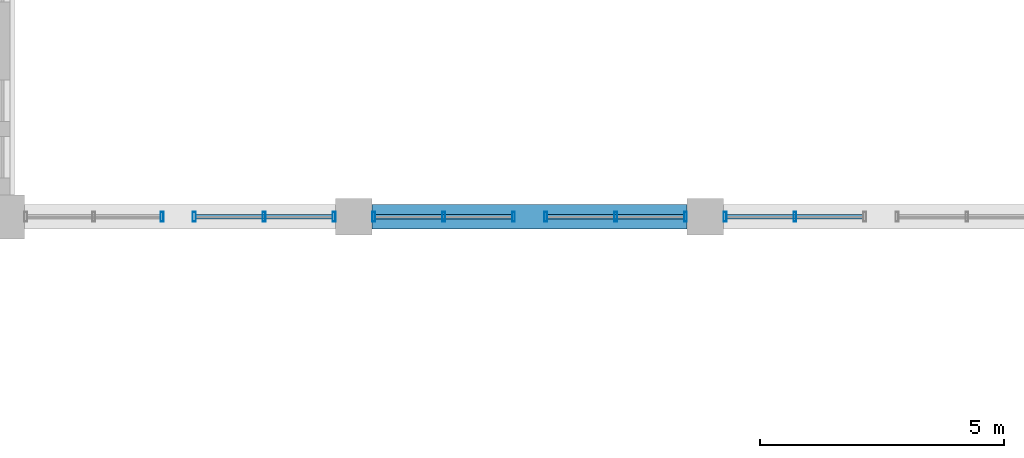
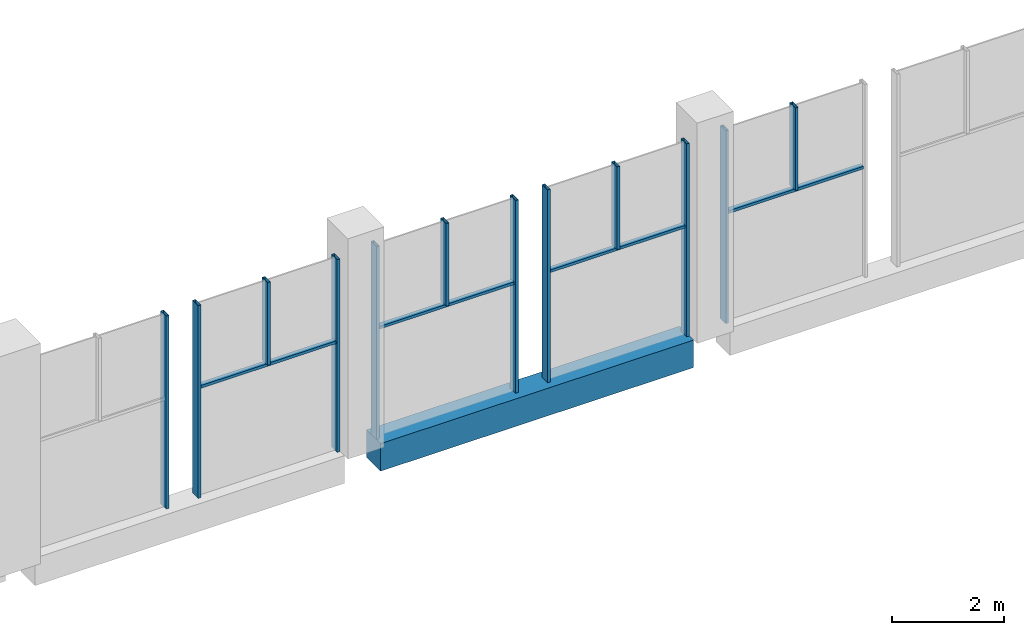
# One storey, part 13 of 39: 16 members, 1 beam, 5 elements without a shape of their own.
"""IFC4 building model written with IfcOpenShell, lengths in metres."""

from ifc_helpers import new_model, si_unit, direction, frame, origin, origin_2d, place, context, subcontext, project, spatial, rectangle, hollow_rectangle, extrude, material, material_profile, profile_set, type_object, element, aggregate, save


model = new_model("IFC4")

# Units and contexts
model_context = context("Model", 3, precision=1e-05, world=origin(), true_north=direction((0.0, 1.0)))
body_context = subcontext(model_context, "Body", "Model", "MODEL_VIEW")
ifc_project = project(units=[si_unit("LENGTHUNIT", "METRE"), si_unit("AREAUNIT", "SQUARE_METRE"), si_unit("VOLUMEUNIT", "CUBIC_METRE"), si_unit("PLANEANGLEUNIT", "RADIAN"), si_unit("MASSUNIT", "GRAM", prefix="KILO")], contexts=[model_context])

# Site, building, storey
site_placement = place(None, origin())
site = spatial("IfcSite", under=ifc_project, at=site_placement, CompositionType="ELEMENT")
building_placement = place(site_placement, origin())
building = spatial("IfcBuilding", under=site, at=building_placement, Name="Silangan Lancet Faculty of Sciences", CompositionType="ELEMENT")
storey_placement = place(building_placement, frame((0.0, 0.0, 26.39990234375)))
storey = spatial("IfcBuildingStorey", under=building, at=storey_placement, Name="L05", CompositionType="ELEMENT", Elevation=26.39990234375)

# Beam
ifc_material_1 = material(Name="Concrete C40/50", Category="concrete")
ifc_material_profile_1 = material_profile(ifc_material_1, rectangle(XDim=0.5, YDim=0.60009765625, at=origin_2d()), Name="RC 500x600")
ifc_profile_set_1 = profile_set([ifc_material_profile_1], Name="Concrete C40/50")
beam_type = type_object("IfcBeamType", Name="BEAM RC 500x600", PredefinedType="BEAM", material=ifc_profile_set_1)
beam_placement = place(storey_placement, frame((36.375, 36.0, -0.2998046875), z_axis=(1.0, 0.0, 0.0), x_axis=(0.0, 1.0, 0.0)))
element("IfcBeam", 1, at=beam_placement, inside=storey, type_object=beam_type, Name="BM-L05-6F-7F", PredefinedType="BEAM", context=body_context, shape_type="SweptSolid", body=[
    extrude(rectangle(XDim=0.5, YDim=0.60009765625, at=origin_2d()), origin(), (0.0, 0.0, 1.0), 6.449951171875),
])

# Curtain wall, members
ifc_material_2 = material(Name="Aluminium framed curtain wall with insulated glass", Category="aluminium")
curtain_wall_type = type_object("IfcCurtainWallType", Name="CW5 Nave north light glazing", PredefinedType="NOTDEFINED", material=ifc_material_2)
curtain_wall_1_placement = place(storey_placement, origin())
curtain_wall_1 = element("IfcCurtainWall", 2, at=curtain_wall_1_placement, inside=storey, type_object=curtain_wall_type, Name="CW5 Nave north lights L05 bay 2", PredefinedType="NOTDEFINED")
ifc_material_3 = material(Name="Aluminium 6063-T6 extrusion", Category="aluminium")
ifc_material_profile_2 = material_profile(ifc_material_3, hollow_rectangle(XDim=0.06005859375, YDim=0.199951171875, WallThickness=0.00390625, at=origin_2d()), Name="AL BOX 60x200x4")
ifc_profile_set_2 = profile_set([ifc_material_profile_2], Name="Aluminium 6063-T6 extrusion")
member_type_1 = type_object("IfcMemberType", Name="CM1 Mullion 60x200", PredefinedType="MULLION", material=ifc_profile_set_2)
member_1_placement = place(storey_placement, frame((43.60498046875, 36.0, 0.0), z_axis=(0.0, 0.0, 1.0), x_axis=(-1.0, 0.0, 0.0)))
member_1 = element("IfcMember", 3, at=member_1_placement, type_object=member_type_1, Name="CW5 Nave north lights L05 bay 2 mullion 2", PredefinedType="MULLION", context=body_context, shape_type="SweptSolid", body=[
    extrude(hollow_rectangle(XDim=0.06005859375, YDim=0.199951171875, WallThickness=0.00390625, at=origin_2d()), origin(), (0.0, 0.0, 1.0), 4.2001953125),
])
member_2_placement = place(storey_placement, frame((45.03759765625, 36.0, 2.400146484375), z_axis=(0.0, 0.0, 1.0), x_axis=(-1.0, 0.0, 0.0)))
member_2 = element("IfcMember", 4, at=member_2_placement, type_object=member_type_1, Name="CW5 Nave north lights L05 bay 2 mullion 3", PredefinedType="MULLION", context=body_context, shape_type="SweptSolid", body=[
    extrude(hollow_rectangle(XDim=0.06005859375, YDim=0.199951171875, WallThickness=0.00390625, at=origin_2d()), origin(), (0.0, 0.0, 1.0), 1.800048828125),
])

curtain_wall_2_placement = place(storey_placement, origin())
curtain_wall_2 = element("IfcCurtainWall", 5, at=curtain_wall_2_placement, inside=storey, type_object=curtain_wall_type, Name="CW5 Nave north lights L05 bay 3", PredefinedType="NOTDEFINED")
member_3_placement = place(storey_placement, frame((42.794921875, 36.0, 0.0), z_axis=(0.0, 0.0, 1.0), x_axis=(-1.0, 0.0, 0.0)))
member_3 = element("IfcMember", 6, at=member_3_placement, type_object=member_type_1, Name="CW5 Nave north lights L05 bay 3 mullion 1", PredefinedType="MULLION", context=body_context, shape_type="SweptSolid", body=[
    extrude(hollow_rectangle(XDim=0.06005859375, YDim=0.199951171875, WallThickness=0.00390625, at=origin_2d()), origin(), (0.0, 0.0, 1.0), 4.2001953125),
])
member_4_placement = place(storey_placement, frame((39.93017578125, 36.0, 0.0), z_axis=(0.0, 0.0, 1.0), x_axis=(-1.0, 0.0, 0.0)))
member_4 = element("IfcMember", 7, at=member_4_placement, type_object=member_type_1, Name="CW5 Nave north lights L05 bay 3 mullion 2", PredefinedType="MULLION", context=body_context, shape_type="SweptSolid", body=[
    extrude(hollow_rectangle(XDim=0.06005859375, YDim=0.199951171875, WallThickness=0.00390625, at=origin_2d()), origin(), (0.0, 0.0, 1.0), 4.2001953125),
])
member_5_placement = place(storey_placement, frame((41.362548828125, 36.0, 2.400146484375), z_axis=(0.0, 0.0, 1.0), x_axis=(-1.0, 0.0, 0.0)))
member_5 = element("IfcMember", 8, at=member_5_placement, type_object=member_type_1, Name="CW5 Nave north lights L05 bay 3 mullion 3", PredefinedType="MULLION", context=body_context, shape_type="SweptSolid", body=[
    extrude(hollow_rectangle(XDim=0.06005859375, YDim=0.199951171875, WallThickness=0.00390625, at=origin_2d()), origin(), (0.0, 0.0, 1.0), 1.800048828125),
])

curtain_wall_3_placement = place(storey_placement, origin())
curtain_wall_3 = element("IfcCurtainWall", 9, at=curtain_wall_3_placement, inside=storey, type_object=curtain_wall_type, Name="CW5 Nave north lights L05 bay 4", PredefinedType="NOTDEFINED")
member_6_placement = place(storey_placement, frame((39.27001953125, 36.0, 0.0), z_axis=(0.0, 0.0, 1.0), x_axis=(-1.0, 0.0, 0.0)))
member_6 = element("IfcMember", 10, at=member_6_placement, type_object=member_type_1, Name="CW5 Nave north lights L05 bay 4 mullion 1", PredefinedType="MULLION", context=body_context, shape_type="SweptSolid", body=[
    extrude(hollow_rectangle(XDim=0.06005859375, YDim=0.199951171875, WallThickness=0.00390625, at=origin_2d()), origin(), (0.0, 0.0, 1.0), 4.2001953125),
])
member_7_placement = place(storey_placement, frame((36.405029296875, 36.0, 0.0), z_axis=(0.0, 0.0, 1.0), x_axis=(-1.0, 0.0, 0.0)))
member_7 = element("IfcMember", 11, at=member_7_placement, type_object=member_type_1, Name="CW5 Nave north lights L05 bay 4 mullion 2", PredefinedType="MULLION", context=body_context, shape_type="SweptSolid", body=[
    extrude(hollow_rectangle(XDim=0.06005859375, YDim=0.199951171875, WallThickness=0.00390625, at=origin_2d()), origin(), (0.0, 0.0, 1.0), 4.2001953125),
])
member_8_placement = place(storey_placement, frame((37.837646484375, 36.0, 2.400146484375), z_axis=(0.0, 0.0, 1.0), x_axis=(-1.0, 0.0, 0.0)))
member_8 = element("IfcMember", 12, at=member_8_placement, type_object=member_type_1, Name="CW5 Nave north lights L05 bay 4 mullion 3", PredefinedType="MULLION", context=body_context, shape_type="SweptSolid", body=[
    extrude(hollow_rectangle(XDim=0.06005859375, YDim=0.199951171875, WallThickness=0.00390625, at=origin_2d()), origin(), (0.0, 0.0, 1.0), 1.800048828125),
])

curtain_wall_4_placement = place(storey_placement, origin())
curtain_wall_4 = element("IfcCurtainWall", 13, at=curtain_wall_4_placement, inside=storey, type_object=curtain_wall_type, Name="CW5 Nave north lights L05 bay 5", PredefinedType="NOTDEFINED")
member_9_placement = place(storey_placement, frame((35.594970703125, 36.0, 0.0), z_axis=(0.0, 0.0, 1.0), x_axis=(-1.0, 0.0, 0.0)))
member_9 = element("IfcMember", 14, at=member_9_placement, type_object=member_type_1, Name="CW5 Nave north lights L05 bay 5 mullion 1", PredefinedType="MULLION", context=body_context, shape_type="SweptSolid", body=[
    extrude(hollow_rectangle(XDim=0.06005859375, YDim=0.199951171875, WallThickness=0.00390625, at=origin_2d()), origin(), (0.0, 0.0, 1.0), 4.2001953125),
])
member_10_placement = place(storey_placement, frame((32.72998046875, 36.0, 0.0), z_axis=(0.0, 0.0, 1.0), x_axis=(-1.0, 0.0, 0.0)))
member_10 = element("IfcMember", 15, at=member_10_placement, type_object=member_type_1, Name="CW5 Nave north lights L05 bay 5 mullion 2", PredefinedType="MULLION", context=body_context, shape_type="SweptSolid", body=[
    extrude(hollow_rectangle(XDim=0.06005859375, YDim=0.199951171875, WallThickness=0.00390625, at=origin_2d()), origin(), (0.0, 0.0, 1.0), 4.2001953125),
])
member_11_placement = place(storey_placement, frame((34.162353515625, 36.0, 2.400146484375), z_axis=(0.0, 0.0, 1.0), x_axis=(-1.0, 0.0, 0.0)))
member_11 = element("IfcMember", 16, at=member_11_placement, type_object=member_type_1, Name="CW5 Nave north lights L05 bay 5 mullion 3", PredefinedType="MULLION", context=body_context, shape_type="SweptSolid", body=[
    extrude(hollow_rectangle(XDim=0.06005859375, YDim=0.199951171875, WallThickness=0.00390625, at=origin_2d()), origin(), (0.0, 0.0, 1.0), 1.800048828125),
])

# Curtain wall, member
curtain_wall_5_placement = place(storey_placement, origin())
curtain_wall_5 = element("IfcCurtainWall", 17, at=curtain_wall_5_placement, inside=storey, type_object=curtain_wall_type, Name="CW5 Nave north lights L05 bay 6", PredefinedType="NOTDEFINED")
member_12_placement = place(storey_placement, frame((32.06982421875, 36.0, 0.0), z_axis=(0.0, 0.0, 1.0), x_axis=(-1.0, 0.0, 0.0)))
member_12 = element("IfcMember", 18, at=member_12_placement, type_object=member_type_1, Name="CW5 Nave north lights L05 bay 6 mullion 1", PredefinedType="MULLION", context=body_context, shape_type="SweptSolid", body=[
    extrude(hollow_rectangle(XDim=0.06005859375, YDim=0.199951171875, WallThickness=0.00390625, at=origin_2d()), origin(), (0.0, 0.0, 1.0), 4.2001953125),
])
aggregate(curtain_wall_5, [member_12])

# Member
ifc_material_4 = material(Name="Aluminium 6063-T6 extrusion", Category="aluminium")
ifc_material_profile_3 = material_profile(ifc_material_4, hollow_rectangle(XDim=0.10009765625, YDim=0.06005859375, WallThickness=0.0029296875, at=origin_2d()), Name="AL BOX 100x60x3")
ifc_profile_set_3 = profile_set([ifc_material_profile_3], Name="Aluminium 6063-T6 extrusion")
member_type_2 = type_object("IfcMemberType", Name="CT1 Transom 100x60", PredefinedType="USERDEFINED", material=ifc_profile_set_3)
member_13_placement = place(storey_placement, frame((46.43994140625, 36.0, 2.3701171875), z_axis=(-1.0, 0.0, 0.0), x_axis=(0.0, -1.0, 0.0)))
member_13 = element("IfcMember", 19, at=member_13_placement, type_object=member_type_2, Name="CW5 Nave north lights L05 bay 2 transom 1", ObjectType="TRANSOM", PredefinedType="USERDEFINED", context=body_context, shape_type="SweptSolid", body=[
    extrude(hollow_rectangle(XDim=0.10009765625, YDim=0.06005859375, WallThickness=0.0029296875, at=origin_2d()), origin(), (0.0, 0.0, 1.0), 2.804931640625),
])

aggregate(curtain_wall_1, [member_1, member_2, member_13])

member_14_placement = place(storey_placement, frame((42.764892578125, 36.0, 2.3701171875), z_axis=(-1.0, 0.0, 0.0), x_axis=(0.0, -1.0, 0.0)))
member_14 = element("IfcMember", 20, at=member_14_placement, type_object=member_type_2, Name="CW5 Nave north lights L05 bay 3 transom 1", ObjectType="TRANSOM", PredefinedType="USERDEFINED", context=body_context, shape_type="SweptSolid", body=[
    extrude(hollow_rectangle(XDim=0.10009765625, YDim=0.06005859375, WallThickness=0.0029296875, at=origin_2d()), origin(), (0.0, 0.0, 1.0), 2.8046875),
])

aggregate(curtain_wall_2, [member_3, member_4, member_5, member_14])

member_15_placement = place(storey_placement, frame((39.239990234375, 36.0, 2.3701171875), z_axis=(-1.0, 0.0, 0.0), x_axis=(0.0, -1.0, 0.0)))
member_15 = element("IfcMember", 21, at=member_15_placement, type_object=member_type_2, Name="CW5 Nave north lights L05 bay 4 transom 1", ObjectType="TRANSOM", PredefinedType="USERDEFINED", context=body_context, shape_type="SweptSolid", body=[
    extrude(hollow_rectangle(XDim=0.10009765625, YDim=0.06005859375, WallThickness=0.0029296875, at=origin_2d()), origin(), (0.0, 0.0, 1.0), 2.804931640625),
])

aggregate(curtain_wall_3, [member_6, member_7, member_8, member_15])

member_16_placement = place(storey_placement, frame((35.56494140625, 36.0, 2.3701171875), z_axis=(-1.0, 0.0, 0.0), x_axis=(0.0, -1.0, 0.0)))
member_16 = element("IfcMember", 22, at=member_16_placement, type_object=member_type_2, Name="CW5 Nave north lights L05 bay 5 transom 1", ObjectType="TRANSOM", PredefinedType="USERDEFINED", context=body_context, shape_type="SweptSolid", body=[
    extrude(hollow_rectangle(XDim=0.10009765625, YDim=0.06005859375, WallThickness=0.0029296875, at=origin_2d()), origin(), (0.0, 0.0, 1.0), 2.804931640625),
])

aggregate(curtain_wall_4, [member_9, member_10, member_11, member_16])

save(model, "model.ifc")
